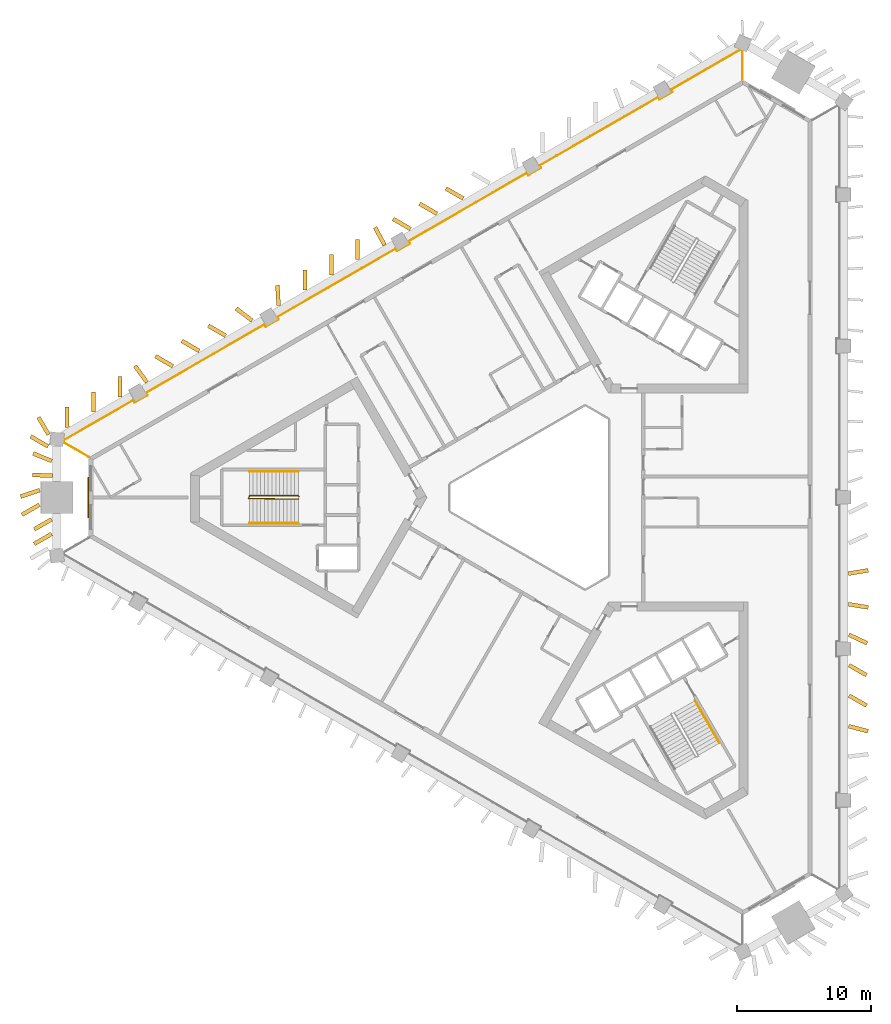
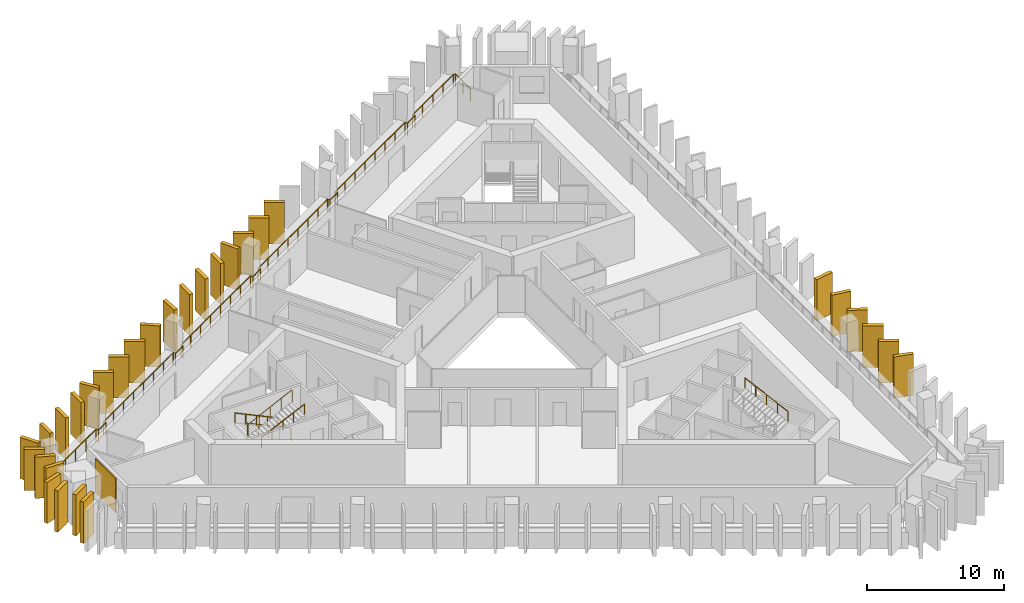
# One storey, part 8 of 9: 30 shading devices, 5 railings, 1 covering.
"""IFC4 building model written with IfcOpenShell, lengths in metres."""

from ifc_helpers import new_model, si_unit, direction, frame, frame_2d, origin, origin_2d, place, context, subcontext, project, spatial, rectangle, circle, extrude, material, layer, layer_set, type_object, element, save


model = new_model("IFC4")

# Units and contexts
model_context = context("Model", 3, precision=1e-05, world=origin(), true_north=direction((0.0, 1.0)))
body_context = subcontext(model_context, "Body", "Model", "MODEL_VIEW")
ifc_project = project(units=[si_unit("LENGTHUNIT", "METRE"), si_unit("AREAUNIT", "SQUARE_METRE"), si_unit("VOLUMEUNIT", "CUBIC_METRE"), si_unit("PLANEANGLEUNIT", "RADIAN"), si_unit("MASSUNIT", "GRAM", prefix="KILO")], contexts=[model_context])

# Site, building, storey
site_placement = place(None, origin())
site = spatial("IfcSite", under=ifc_project, at=site_placement, CompositionType="ELEMENT")
building_placement = place(site_placement, origin())
building = spatial("IfcBuilding", under=site, at=building_placement, Name="Jabali Bay Hotel Tower and Convention Centre", CompositionType="ELEMENT")
storey_placement = place(building_placement, frame((0.0, 0.0, 129.0)))
storey = spatial("IfcBuildingStorey", under=building, at=storey_placement, Name="L31", CompositionType="ELEMENT", Elevation=129.0)

# Railing
ifc_material_1 = material(Name="Glass", Category="glass")
railing_type_1 = type_object("IfcRailingType", Name="Loggia glass guard 1100", PredefinedType="BALUSTRADE", material=ifc_material_1)
railing_1_placement = place(storey_placement, frame((40.816650390625, 83.01318359375, 0.0)))
element("IfcRailing", 1, at=railing_1_placement, inside=storey, type_object=railing_type_1, Name="Loggia glass guard L31", PredefinedType="BALUSTRADE", context=body_context, shape_type="SweptSolid", body=[
    extrude(circle(Radius=0.02490234375, at=origin_2d()), frame((0.0, 0.0, 1.0751953125), z_axis=(-0.866007213464, 0.500031505235, 0.0), x_axis=(-0.495753666391, -0.858598401702, 0.13052619222)), (0.0, 0.0, 1.0), 2.165283203125),
    extrude(circle(Radius=0.02490234375, at=origin_2d()), frame((-1.875244140625, 1.082763671875, 1.0751953125), z_axis=(0.117477392411, 0.993075557182, 0.0), x_axis=(-0.984579658124, 0.116472357034, 0.13052619222)), (0.0, 0.0, 1.0), 0.15576171875),
    extrude(circle(Radius=0.02490234375, at=origin_2d()), frame((-1.85693359375, 1.237548828125, 1.0751953125), z_axis=(0.8660343527, 0.499984499703, 0.0), x_axis=(-0.495707062997, 0.858625308758, 0.13052619222)), (0.0, 0.0, 1.0), 5.968017578125),
    extrude(circle(Radius=0.02490234375, at=origin_2d()), frame((3.3115234375, 4.221435546875, 1.0751953125), z_axis=(0.499687197852, -0.866205924883, 0.0), x_axis=(0.858795413117, 0.495412304605, 0.13052619222)), (0.0, 0.0, 1.0), 0.199951171875),
    extrude(circle(Radius=0.02490234375, at=origin_2d()), frame((3.411376953125, 4.04833984375, 1.0751953125), z_axis=(0.866104278045, 0.499863360881, 0.0), x_axis=(-0.495586960535, 0.858694635882, 0.13052619222)), (0.0, 0.0, 1.0), 1.099853515625),
    extrude(circle(Radius=0.02490234375, at=origin_2d()), frame((4.364013671875, 4.59814453125, 1.0751953125), z_axis=(-0.499158860599, 0.866510491504, 0.0), x_axis=(-0.859097374128, -0.49488848735, 0.13052619222)), (0.0, 0.0, 1.0), 0.199951171875),
    extrude(circle(Radius=0.02490234375, at=origin_2d()), frame((4.26416015625, 4.771484375, 1.0751953125), z_axis=(0.866029097357, 0.49999360249, 0.0), x_axis=(-0.495716087909, 0.858620098375, 0.13052619222)), (0.0, 0.0, 1.0), 10.184326171875),
    extrude(circle(Radius=0.02490234375, at=origin_2d()), frame((13.083984375, 9.863525390625, 1.0751953125), z_axis=(0.499687197852, -0.866205924883, 0.0), x_axis=(0.858795413117, 0.495412304605, 0.13052619222)), (0.0, 0.0, 1.0), 0.199951171875),
    extrude(circle(Radius=0.02490234375, at=origin_2d()), frame((13.183837890625, 9.6904296875, 1.0751953125), z_axis=(0.866008176907, 0.50002983664, 0.0), x_axis=(-0.495752012071, 0.858599356902, 0.13052619222)), (0.0, 0.0, 1.0), 1.10009765625),
    extrude(circle(Radius=0.02490234375, at=origin_2d()), frame((14.136474609375, 10.240478515625, 1.0751953125), z_axis=(-0.499687197852, 0.866205924883, 0.0), x_axis=(-0.858795413117, -0.495412304605, 0.13052619222)), (0.0, 0.0, 1.0), 0.199951171875),
    extrude(circle(Radius=0.02490234375, at=origin_2d()), frame((14.03662109375, 10.41357421875, 1.0751953125), z_axis=(0.866029097357, 0.49999360249, 0.0), x_axis=(-0.495716087909, 0.858620098375, 0.13052619222)), (0.0, 0.0, 1.0), 10.184326171875),
    extrude(circle(Radius=0.02490234375, at=origin_2d()), frame((22.8564453125, 15.505615234375, 1.0751953125), z_axis=(0.499687197852, -0.866205924883, 0.0), x_axis=(0.858795413117, 0.495412304605, 0.13052619222)), (0.0, 0.0, 1.0), 0.199951171875),
    extrude(circle(Radius=0.02490234375, at=origin_2d()), frame((22.956298828125, 15.33251953125, 1.0751953125), z_axis=(0.866008176907, 0.50002983664, 0.0), x_axis=(-0.495752012071, 0.858599356902, 0.13052619222)), (0.0, 0.0, 1.0), 1.10009765625),
    extrude(circle(Radius=0.02490234375, at=origin_2d()), frame((23.908935546875, 15.882568359375, 1.0751953125), z_axis=(-0.499687197852, 0.866205924883, 0.0), x_axis=(-0.858795413117, -0.495412304605, 0.13052619222)), (0.0, 0.0, 1.0), 0.199951171875),
    extrude(circle(Radius=0.02490234375, at=origin_2d()), frame((23.80908203125, 16.0556640625, 1.0751953125), z_axis=(0.866029097357, 0.49999360249, 0.0), x_axis=(-0.495716087909, 0.858620098375, 0.13052619222)), (0.0, 0.0, 1.0), 10.184326171875),
    extrude(circle(Radius=0.02490234375, at=origin_2d()), frame((32.62890625, 21.147705078125, 1.0751953125), z_axis=(0.499687197852, -0.866205924883, 0.0), x_axis=(0.858795413117, 0.495412304605, 0.13052619222)), (0.0, 0.0, 1.0), 0.199951171875),
    extrude(circle(Radius=0.02490234375, at=origin_2d()), frame((32.728759765625, 20.974609375, 1.0751953125), z_axis=(0.866008176907, 0.50002983664, 0.0), x_axis=(-0.495752012071, 0.858599356902, 0.13052619222)), (0.0, 0.0, 1.0), 1.10009765625),
    extrude(circle(Radius=0.02490234375, at=origin_2d()), frame((33.681396484375, 21.524658203125, 1.0751953125), z_axis=(-0.499687197852, 0.866205924883, 0.0), x_axis=(-0.858795413117, -0.495412304605, 0.13052619222)), (0.0, 0.0, 1.0), 0.199951171875),
    extrude(circle(Radius=0.02490234375, at=origin_2d()), frame((33.58154296875, 21.69775390625, 1.0751953125), z_axis=(0.866018717003, 0.500011581666, 0.0), x_axis=(-0.49573391327, 0.858609806827, 0.13052619222)), (0.0, 0.0, 1.0), 10.184326171875),
    extrude(circle(Radius=0.02490234375, at=origin_2d()), frame((42.4013671875, 26.7900390625, 1.0751953125), z_axis=(0.499158860599, -0.866510491504, 0.0), x_axis=(0.859097374128, 0.49488848735, 0.13052619222)), (0.0, 0.0, 1.0), 0.199951171875),
    extrude(circle(Radius=0.02490234375, at=origin_2d()), frame((42.501220703125, 26.61669921875, 1.0751953125), z_axis=(0.866008176907, 0.50002983664, 0.0), x_axis=(-0.495752012071, 0.858599356902, 0.13052619222)), (0.0, 0.0, 1.0), 1.10009765625),
    extrude(circle(Radius=0.02490234375, at=origin_2d()), frame((43.453857421875, 27.166748046875, 1.0751953125), z_axis=(-0.499687197852, 0.866205924883, 0.0), x_axis=(-0.858795413117, -0.495412304605, 0.13052619222)), (0.0, 0.0, 1.0), 0.199951171875),
    extrude(circle(Radius=0.02490234375, at=origin_2d()), frame((43.35400390625, 27.33984375, 1.0751953125), z_axis=(0.866016638956, 0.50001518082, 0.0), x_axis=(-0.495737481633, 0.858607746558, 0.13052619222)), (0.0, 0.0, 1.0), 5.968017578125),
    extrude(circle(Radius=0.02490234375, at=origin_2d()), frame((48.5224609375, 30.323974609375, 1.0751953125), z_axis=(0.918657809016, -0.395054211386, 0.0), x_axis=(0.391674467843, 0.91079856411, 0.13052619222)), (0.0, 0.0, 1.0), 0.15576171875),
    extrude(circle(Radius=0.02490234375, at=origin_2d()), frame((48.66552734375, 30.262451171875, 1.0751953125), z_axis=(0.0, -1.0, 0.0), x_axis=(0.991444861374, 0.0, 0.13052619222)), (0.0, 0.0, 1.0), 2.165283203125),
    extrude(circle(Radius=0.02001953125, at=origin_2d()), origin(), (0.0, 0.0, 1.0), 1.050048828125),
    extrude(circle(Radius=0.02001953125, at=origin_2d()), frame((-0.9375, 0.54150390625, 0.0)), (0.0, 0.0, 1.0), 1.050048828125),
    extrude(circle(Radius=0.02001953125, at=origin_2d()), frame((-1.875244140625, 1.082763671875, 0.0)), (0.0, 0.0, 1.0), 1.050048828125),
    extrude(circle(Radius=0.02001953125, at=origin_2d()), frame((-1.85693359375, 1.237548828125, 0.0)), (0.0, 0.0, 1.0), 1.050048828125),
    extrude(circle(Radius=0.02001953125, at=origin_2d()), frame((-0.56494140625, 1.9833984375, 0.0)), (0.0, 0.0, 1.0), 1.050048828125),
    extrude(circle(Radius=0.02001953125, at=origin_2d()), frame((0.727294921875, 2.7294921875, 0.0)), (0.0, 0.0, 1.0), 1.050048828125),
    extrude(circle(Radius=0.02001953125, at=origin_2d()), frame((2.01953125, 3.4755859375, 0.0)), (0.0, 0.0, 1.0), 1.050048828125),
    extrude(circle(Radius=0.02001953125, at=origin_2d()), frame((3.3115234375, 4.221435546875, 0.0)), (0.0, 0.0, 1.0), 1.050048828125),
    extrude(circle(Radius=0.02001953125, at=origin_2d()), frame((3.411376953125, 4.04833984375, 0.0)), (0.0, 0.0, 1.0), 1.050048828125),
    extrude(circle(Radius=0.02001953125, at=origin_2d()), frame((4.364013671875, 4.59814453125, 0.0)), (0.0, 0.0, 1.0), 1.050048828125),
    extrude(circle(Radius=0.02001953125, at=origin_2d()), frame((4.26416015625, 4.771484375, 0.0)), (0.0, 0.0, 1.0), 1.050048828125),
    extrude(circle(Radius=0.02001953125, at=origin_2d()), frame((5.524169921875, 5.4990234375, 0.0)), (0.0, 0.0, 1.0), 1.050048828125),
    extrude(circle(Radius=0.02001953125, at=origin_2d()), frame((6.7841796875, 6.226318359375, 0.0)), (0.0, 0.0, 1.0), 1.050048828125),
    extrude(circle(Radius=0.02001953125, at=origin_2d()), frame((8.044189453125, 6.953857421875, 0.0)), (0.0, 0.0, 1.0), 1.050048828125),
    extrude(circle(Radius=0.02001953125, at=origin_2d()), frame((9.303955078125, 7.68115234375, 0.0)), (0.0, 0.0, 1.0), 1.050048828125),
    extrude(circle(Radius=0.02001953125, at=origin_2d()), frame((10.56396484375, 8.40869140625, 0.0)), (0.0, 0.0, 1.0), 1.050048828125),
    extrude(circle(Radius=0.02001953125, at=origin_2d()), frame((11.823974609375, 9.135986328125, 0.0)), (0.0, 0.0, 1.0), 1.050048828125),
    extrude(circle(Radius=0.02001953125, at=origin_2d()), frame((13.083984375, 9.863525390625, 0.0)), (0.0, 0.0, 1.0), 1.050048828125),
    extrude(circle(Radius=0.02001953125, at=origin_2d()), frame((13.183837890625, 9.6904296875, 0.0)), (0.0, 0.0, 1.0), 1.050048828125),
    extrude(circle(Radius=0.02001953125, at=origin_2d()), frame((14.136474609375, 10.240478515625, 0.0)), (0.0, 0.0, 1.0), 1.050048828125),
    extrude(circle(Radius=0.02001953125, at=origin_2d()), frame((14.03662109375, 10.41357421875, 0.0)), (0.0, 0.0, 1.0), 1.050048828125),
    extrude(circle(Radius=0.02001953125, at=origin_2d()), frame((15.296630859375, 11.14111328125, 0.0)), (0.0, 0.0, 1.0), 1.050048828125),
    extrude(circle(Radius=0.02001953125, at=origin_2d()), frame((16.556640625, 11.868408203125, 0.0)), (0.0, 0.0, 1.0), 1.050048828125),
    extrude(circle(Radius=0.02001953125, at=origin_2d()), frame((17.816650390625, 12.595947265625, 0.0)), (0.0, 0.0, 1.0), 1.050048828125),
    extrude(circle(Radius=0.02001953125, at=origin_2d()), frame((19.076416015625, 13.3232421875, 0.0)), (0.0, 0.0, 1.0), 1.050048828125),
    extrude(circle(Radius=0.02001953125, at=origin_2d()), frame((20.33642578125, 14.05078125, 0.0)), (0.0, 0.0, 1.0), 1.050048828125),
    extrude(circle(Radius=0.02001953125, at=origin_2d()), frame((21.596435546875, 14.778076171875, 0.0)), (0.0, 0.0, 1.0), 1.050048828125),
    extrude(circle(Radius=0.02001953125, at=origin_2d()), frame((22.8564453125, 15.505615234375, 0.0)), (0.0, 0.0, 1.0), 1.050048828125),
    extrude(circle(Radius=0.02001953125, at=origin_2d()), frame((22.956298828125, 15.33251953125, 0.0)), (0.0, 0.0, 1.0), 1.050048828125),
    extrude(circle(Radius=0.02001953125, at=origin_2d()), frame((23.908935546875, 15.882568359375, 0.0)), (0.0, 0.0, 1.0), 1.050048828125),
    extrude(circle(Radius=0.02001953125, at=origin_2d()), frame((23.80908203125, 16.0556640625, 0.0)), (0.0, 0.0, 1.0), 1.050048828125),
    extrude(circle(Radius=0.02001953125, at=origin_2d()), frame((25.069091796875, 16.783203125, 0.0)), (0.0, 0.0, 1.0), 1.050048828125),
    extrude(circle(Radius=0.02001953125, at=origin_2d()), frame((26.3291015625, 17.510498046875, 0.0)), (0.0, 0.0, 1.0), 1.050048828125),
    extrude(circle(Radius=0.02001953125, at=origin_2d()), frame((27.589111328125, 18.238037109375, 0.0)), (0.0, 0.0, 1.0), 1.050048828125),
    extrude(circle(Radius=0.02001953125, at=origin_2d()), frame((28.848876953125, 18.96533203125, 0.0)), (0.0, 0.0, 1.0), 1.050048828125),
    extrude(circle(Radius=0.02001953125, at=origin_2d()), frame((30.10888671875, 19.69287109375, 0.0)), (0.0, 0.0, 1.0), 1.050048828125),
    extrude(circle(Radius=0.02001953125, at=origin_2d()), frame((31.368896484375, 20.420166015625, 0.0)), (0.0, 0.0, 1.0), 1.050048828125),
    extrude(circle(Radius=0.02001953125, at=origin_2d()), frame((32.62890625, 21.147705078125, 0.0)), (0.0, 0.0, 1.0), 1.050048828125),
    extrude(circle(Radius=0.02001953125, at=origin_2d()), frame((32.728759765625, 20.974609375, 0.0)), (0.0, 0.0, 1.0), 1.050048828125),
    extrude(circle(Radius=0.02001953125, at=origin_2d()), frame((33.681396484375, 21.524658203125, 0.0)), (0.0, 0.0, 1.0), 1.050048828125),
    extrude(circle(Radius=0.02001953125, at=origin_2d()), frame((33.58154296875, 21.69775390625, 0.0)), (0.0, 0.0, 1.0), 1.050048828125),
    extrude(circle(Radius=0.02001953125, at=origin_2d()), frame((34.841552734375, 22.42529296875, 0.0)), (0.0, 0.0, 1.0), 1.050048828125),
    extrude(circle(Radius=0.02001953125, at=origin_2d()), frame((36.1015625, 23.152587890625, 0.0)), (0.0, 0.0, 1.0), 1.050048828125),
    extrude(circle(Radius=0.02001953125, at=origin_2d()), frame((37.361572265625, 23.880126953125, 0.0)), (0.0, 0.0, 1.0), 1.050048828125),
    extrude(circle(Radius=0.02001953125, at=origin_2d()), frame((38.621337890625, 24.607666015625, 0.0)), (0.0, 0.0, 1.0), 1.050048828125),
    extrude(circle(Radius=0.02001953125, at=origin_2d()), frame((39.88134765625, 25.335205078125, 0.0)), (0.0, 0.0, 1.0), 1.050048828125),
    extrude(circle(Radius=0.02001953125, at=origin_2d()), frame((41.141357421875, 26.0625, 0.0)), (0.0, 0.0, 1.0), 1.050048828125),
    extrude(circle(Radius=0.02001953125, at=origin_2d()), frame((42.4013671875, 26.7900390625, 0.0)), (0.0, 0.0, 1.0), 1.050048828125),
    extrude(circle(Radius=0.02001953125, at=origin_2d()), frame((42.501220703125, 26.61669921875, 0.0)), (0.0, 0.0, 1.0), 1.050048828125),
    extrude(circle(Radius=0.02001953125, at=origin_2d()), frame((43.453857421875, 27.166748046875, 0.0)), (0.0, 0.0, 1.0), 1.050048828125),
    extrude(circle(Radius=0.02001953125, at=origin_2d()), frame((43.35400390625, 27.33984375, 0.0)), (0.0, 0.0, 1.0), 1.050048828125),
    extrude(circle(Radius=0.02001953125, at=origin_2d()), frame((44.64599609375, 28.0859375, 0.0)), (0.0, 0.0, 1.0), 1.050048828125),
    extrude(circle(Radius=0.02001953125, at=origin_2d()), frame((45.938232421875, 28.83203125, 0.0)), (0.0, 0.0, 1.0), 1.050048828125),
    extrude(circle(Radius=0.02001953125, at=origin_2d()), frame((47.23046875, 29.577880859375, 0.0)), (0.0, 0.0, 1.0), 1.050048828125),
    extrude(circle(Radius=0.02001953125, at=origin_2d()), frame((48.5224609375, 30.323974609375, 0.0)), (0.0, 0.0, 1.0), 1.050048828125),
    extrude(circle(Radius=0.02001953125, at=origin_2d()), frame((48.66552734375, 30.262451171875, 0.0)), (0.0, 0.0, 1.0), 1.050048828125),
    extrude(circle(Radius=0.02001953125, at=origin_2d()), frame((48.66552734375, 29.1796875, 0.0)), (0.0, 0.0, 1.0), 1.050048828125),
    extrude(circle(Radius=0.02001953125, at=origin_2d()), frame((48.66552734375, 28.09716796875, 0.0)), (0.0, 0.0, 1.0), 1.050048828125),
])

# Shading devices
ifc_material_2 = material(Name="Precast concrete C60", Category="concrete")
ifc_layer_1 = layer(ifc_material_2, 0.300048828125)
ifc_layer_set_1 = layer_set([ifc_layer_1], Name="Precast concrete C60")
shading_device_type = type_object("IfcShadingDeviceType", Name="Precast fin 3680 x 1500", PredefinedType="USERDEFINED", material=ifc_layer_set_1)
for number, where, z_axis, x_axis, name in (
    (2, (97.3818359375, 62.97412109375, 0.010009765625), (0.0, 0.0, 1.0), (0.967312357598, -0.253587860195, 0.0), "Fin L31 005"),
    (3, (97.41748046875, 65.244140625, 0.010009765625), (0.0, 0.0, 1.0), (0.870656800372, -0.491890979757, 0.0), "Fin L31 006"),
    (4, (97.41845703125, 67.514404296875, 0.010009765625), (0.0, 0.0, 1.0), (0.867159382876, -0.498030726652, 0.0), "Fin L31 007"),
    (5, (97.407958984375, 69.784423828125, 0.010009765625), (0.0, 0.0, 1.0), (0.903605236476, -0.428366171182, 0.0), "Fin L31 008"),
    (6, (97.367919921875, 72.0546875, 0.010009765625), (0.0, 0.0, 1.0), (0.986799963527, -0.161943916165, 0.0), "Fin L31 009"),
    (7, (97.36865234375, 74.32470703125, 0.010009765625), (0.0, 0.0, 1.0), (0.98601300015, 0.166668423928, 0.0), "Fin L31 010"),
    (8, (68.705810546875, 102.25244140625, 0.010009765625), (0.0, 0.0, 1.0), (-0.864898360543, 0.501947034986, 0.0), "Fin L31 044"),
    (9, (66.73974609375, 101.117431640625, 0.010009765625), (0.0, 0.0, 1.0), (-0.864898360543, 0.501947034986, 0.0), "Fin L31 045"),
    (10, (64.773681640625, 99.982421875, 0.010009765625), (0.0, 0.0, 1.0), (-0.864898360543, 0.501947034986, 0.0), "Fin L31 046"),
    (11, (62.843017578125, 98.786376953125, 0.010009765625), (0.0, 0.0, 1.0), (-0.474924598228, 0.880026491645, 0.0), "Fin L31 047"),
    (12, (60.841796875, 97.71240234375, 0.010009765625), (0.0, 0.0, 1.0), (-0.002278639918, 0.999997403897, 0.0), "Fin L31 048"),
    (13, (58.875732421875, 96.5771484375, 0.010009765625), (0.0, 0.0, 1.0), (-0.00211588068, 0.999997761522, 0.0), "Fin L31 049"),
    (14, (56.909912109375, 95.442138671875, 0.010009765625), (0.0, 0.0, 1.0), (-0.002278639918, 0.999997403897, 0.0), "Fin L31 050"),
    (15, (54.947265625, 94.30126953125, 0.010009765625), (0.0, 0.0, 1.0), (-0.053874375833, 0.998547721258, 0.0), "Fin L31 051"),
    (16, (52.986083984375, 93.15771484375, 0.010009765625), (0.0, 0.0, 1.0), (-0.796510180801, 0.604625116812, 0.0), "Fin L31 052"),
    (17, (51.011962890625, 92.037109375, 0.010009765625), (0.0, 0.0, 1.0), (-0.864898360543, 0.501947034986, 0.0), "Fin L31 053"),
    (18, (49.0458984375, 90.90185546875, 0.010009765625), (0.0, 0.0, 1.0), (-0.864898360543, 0.501947034986, 0.0), "Fin L31 054"),
    (19, (47.080078125, 89.766845703125, 0.010009765625), (0.0, 0.0, 1.0), (-0.864898360543, 0.501947034986, 0.0), "Fin L31 055"),
    (20, (45.1435546875, 88.58056640625, 0.010009765625), (0.0, 0.0, 1.0), (-0.586874225029, 0.809678111348, 0.0), "Fin L31 056"),
    (21, (43.14794921875, 87.496826171875, 0.010009765625), (0.0, 0.0, 1.0), (-0.002604157836, 0.999996609175, 0.0), "Fin L31 057"),
    (22, (41.18212890625, 86.361572265625, 0.010009765625), (0.0, 0.0, 1.0), (-0.003580706212, 0.999993589251, 0.0), "Fin L31 058"),
    (23, (39.21630859375, 85.22607421875, 0.010009765625), (0.0, 0.0, 1.0), (-0.007649515767, 0.999970742026, 0.0), "Fin L31 059"),
    (24, (37.789794921875, 83.798583984375, 0.010009765625), (0.0, 0.0, 1.0), (-0.867159382876, 0.498030726652, 0.0), "Fin L31 060"),
    (25, (38.07373046875, 82.713134765625, 0.010009765625), (0.0, 0.0, 1.0), (-0.927417797028, 0.374027044151, 0.0), "Fin L31 061"),
    (26, (38.12548828125, 81.6279296875, 0.010009765625), (0.0, 0.0, 1.0), (-0.999584885547, 0.028810702612, 0.0), "Fin L31 062"),
    (27, (37.170166015625, 80.542724609375, 0.010009765625), (0.0, 0.0, 1.0), (-0.949380843942, -0.314127383646, 0.0), "Fin L31 063"),
):
    element("IfcShadingDevice", number, at=place(storey_placement, frame(where, z_axis=z_axis, x_axis=x_axis)), inside=storey, type_object=shading_device_type, Name=name, ObjectType="FIN", PredefinedType="USERDEFINED", context=body_context, shape_type="SweptSolid", body=[
        extrude(rectangle(XDim=1.5, YDim=0.300048828125, at=frame_2d((0.75, 0.0))), origin(), (0.0, 0.0, 1.0), 3.679931640625),
    ])
shading_device_1_placement = place(storey_placement, frame((37.142578125, 79.457275390625, 0.010009765625), z_axis=(0.0, 0.0, 1.0), x_axis=(-0.867119005422, -0.498101024327, 0.0)))
element("IfcShadingDevice", 28, at=shading_device_1_placement, inside=storey, type_object=shading_device_type, Name="Fin L31 064", ObjectType="FIN", PredefinedType="USERDEFINED", context=body_context, shape_type="SweptSolid", body=[
    extrude(rectangle(XDim=1.499755859375, YDim=0.300048828125, at=frame_2d((0.75, 0.0))), origin(), (0.0, 0.0, 1.0), 3.679931640625),
])
shading_device_2_placement = place(storey_placement, frame((38.05517578125, 78.3720703125, 0.010009765625), z_axis=(0.0, 0.0, 1.0), x_axis=(-0.867159382876, -0.498030726652, 0.0)))
element("IfcShadingDevice", 29, at=shading_device_2_placement, inside=storey, type_object=shading_device_type, Name="Fin L31 065", ObjectType="FIN", PredefinedType="USERDEFINED", context=body_context, shape_type="SweptSolid", body=[
    extrude(rectangle(XDim=1.5, YDim=0.300048828125, at=frame_2d((0.75, 0.0))), origin(), (0.0, 0.0, 1.0), 3.679931640625),
])
shading_device_3_placement = place(storey_placement, frame((38.05517578125, 77.286865234375, 0.010009765625), z_axis=(0.0, 0.0, 1.0), x_axis=(-0.867089090549, -0.498153098005, 0.0)))
element("IfcShadingDevice", 30, at=shading_device_3_placement, inside=storey, type_object=shading_device_type, Name="Fin L31 066", ObjectType="FIN", PredefinedType="USERDEFINED", context=body_context, shape_type="SweptSolid", body=[
    extrude(rectangle(XDim=1.500244140625, YDim=0.300048828125, at=frame_2d((0.75, 0.0))), origin(), (0.0, 0.0, 1.0), 3.679931640625),
])
shading_device_4_placement = place(storey_placement, frame((37.83349609375, 84.677734375, 0.010009765625), z_axis=(0.0, 0.0, 1.0), x_axis=(-0.511068892971, 0.859539752796, 0.0)))
element("IfcShadingDevice", 31, at=shading_device_4_placement, inside=storey, type_object=shading_device_type, Name="Fin L31 105", ObjectType="FIN", PredefinedType="USERDEFINED", context=body_context, shape_type="SweptSolid", body=[
    extrude(rectangle(XDim=1.5, YDim=0.300048828125, at=frame_2d((0.75, 0.0))), origin(), (0.0, 0.0, 1.0), 3.679931640625),
])

# Covering
ifc_material_3 = material(Name="Precast concrete C40/50", Category="concrete")
ifc_layer_2 = layer(ifc_material_3, 0.080078125)
ifc_layer_set_2 = layer_set([ifc_layer_2], Name="Precast concrete C40/50")
covering_type = type_object("IfcCoveringType", Name="Relief panel 3000 x 3050", PredefinedType="CLADDING", material=ifc_layer_set_2)
covering_placement = place(storey_placement, frame((40.776611328125, 80.0, 0.10009765625), z_axis=(0.0, 0.0, 1.0), x_axis=(0.0, 1.0, 0.0)))
element("IfcCovering", 32, at=covering_placement, inside=storey, type_object=covering_type, Name="Relief panel L31", PredefinedType="CLADDING", context=body_context, shape_type="SweptSolid", body=[
    extrude(rectangle(XDim=3.0, YDim=0.080078125, at=origin_2d()), origin(), (0.0, 0.0, 1.0), 3.050048828125),
])

# Railings
ifc_material_4 = material(Name="Steel Q355B", Category="steel")
railing_type_2 = type_object("IfcRailingType", Name="Stair guard 1100", PredefinedType="GUARDRAIL", material=ifc_material_4)
railing_2_placement = place(storey_placement, frame((56.469970703125, 80.074951171875, 0.0)))
element("IfcRailing", 33, at=railing_2_placement, inside=storey, type_object=railing_type_2, Name="L31 ST1 stair guard 1", PredefinedType="GUARDRAIL", context=body_context, shape_type="SweptSolid", body=[
    extrude(circle(Radius=0.02392578125, at=origin_2d()), frame((0.0, 0.0, 1.076171875), z_axis=(-0.333993628408, 0.333993628408, 0.881417331555), x_axis=(-0.707106781187, -0.707106781187, 0.0)), (0.0, 0.0, 1.0), 0.14990234375),
    extrude(circle(Radius=0.02392578125, at=origin_2d()), frame((-0.050048828125, 0.050048828125, 1.2080078125), z_axis=(-0.904327350853, 0.0, 0.426839598092), x_axis=(0.0, -1.0, 0.0)), (0.0, 0.0, 1.0), 4.02490234375),
    extrude(circle(Radius=0.02392578125, at=origin_2d()), frame((-3.68994140625, 0.050048828125, 2.92626953125), z_axis=(-0.242814311512, -0.970072785993, 0.0), x_axis=(0.970072785993, -0.242814311512, 0.0)), (0.0, 0.0, 1.0), 0.2060546875),
    extrude(circle(Radius=0.02392578125, at=origin_2d()), frame((-3.739990234375, -0.14990234375, 2.92626953125), z_axis=(0.893887803671, -0.012124321804, 0.4481267625), x_axis=(0.013562335953, 0.999908027292, 0.0)), (0.0, 0.0, 1.0), 4.1279296875),
    extrude(circle(Radius=0.02099609375, at=origin_2d()), origin(), (0.0, 0.0, 1.0), 1.052001953125),
    extrude(circle(Radius=0.02099609375, at=origin_2d()), frame((-0.050048828125, 0.050048828125, 0.132080078125)), (0.0, 0.0, 1.0), 1.052001953125),
    extrude(circle(Radius=0.02099609375, at=origin_2d()), frame((-0.9599609375, 0.050048828125, 0.5615234375)), (0.0, 0.0, 1.0), 1.052001953125),
    extrude(circle(Radius=0.02099609375, at=origin_2d()), frame((-1.8701171875, 0.050048828125, 0.9912109375)), (0.0, 0.0, 1.0), 1.052001953125),
    extrude(circle(Radius=0.02099609375, at=origin_2d()), frame((-2.780029296875, 0.050048828125, 1.420654296875)), (0.0, 0.0, 1.0), 1.052001953125),
    extrude(circle(Radius=0.02099609375, at=origin_2d()), frame((-3.68994140625, 0.050048828125, 1.85009765625)), (0.0, 0.0, 1.0), 1.052001953125),
    extrude(circle(Radius=0.02099609375, at=origin_2d()), frame((-3.739990234375, -0.14990234375, 1.85009765625)), (0.0, 0.0, 1.0), 1.052001953125),
    extrude(circle(Radius=0.02099609375, at=origin_2d()), frame((-2.8173828125, -0.162353515625, 2.3125)), (0.0, 0.0, 1.0), 1.052001953125),
    extrude(circle(Radius=0.02099609375, at=origin_2d()), frame((-1.89501953125, -0.1748046875, 2.77490234375)), (0.0, 0.0, 1.0), 1.052001953125),
    extrude(circle(Radius=0.02099609375, at=origin_2d()), frame((-0.97265625, -0.1875, 3.237548828125)), (0.0, 0.0, 1.0), 1.052001953125),
    extrude(circle(Radius=0.02099609375, at=origin_2d()), frame((-0.050048828125, -0.199951171875, 3.699951171875)), (0.0, 0.0, 1.0), 1.052001953125),
])
railing_type_3 = type_object("IfcRailingType", Name="Stair handrail 900", PredefinedType="HANDRAIL", material=ifc_material_4)
railing_3_placement = place(storey_placement, frame((56.419921875, 81.925048828125, 0.132080078125)))
element("IfcRailing", 34, at=railing_3_placement, inside=storey, type_object=railing_type_3, Name="L31 ST1 stair handrail 1", PredefinedType="HANDRAIL", context=body_context, shape_type="SweptSolid", body=[
    extrude(circle(Radius=0.02392578125, at=origin_2d()), frame((0.0, 0.0, 0.8759765625), z_axis=(-0.904327350853, 0.0, 0.426839598092), x_axis=(0.0, -1.0, 0.0)), (0.0, 0.0, 1.0), 4.02490234375),
    extrude(circle(Radius=0.02099609375, at=origin_2d()), origin(), (0.0, 0.0, 1.0), 0.851806640625),
    extrude(circle(Radius=0.02099609375, at=origin_2d()), frame((-0.909912109375, 0.0, 0.429443359375)), (0.0, 0.0, 1.0), 0.851806640625),
    extrude(circle(Radius=0.02099609375, at=origin_2d()), frame((-1.81982421875, 0.0, 0.85888671875)), (0.0, 0.0, 1.0), 0.851806640625),
    extrude(circle(Radius=0.02099609375, at=origin_2d()), frame((-2.72998046875, 0.0, 1.28857421875)), (0.0, 0.0, 1.0), 0.851806640625),
    extrude(circle(Radius=0.02099609375, at=origin_2d()), frame((-3.639892578125, 0.0, 1.718017578125)), (0.0, 0.0, 1.0), 0.851806640625),
])
railing_4_placement = place(storey_placement, frame((52.780029296875, 78.074951171875, 1.982177734375)))
element("IfcRailing", 35, at=railing_4_placement, inside=storey, type_object=railing_type_3, Name="L31 ST1 stair handrail 2", PredefinedType="HANDRAIL", context=body_context, shape_type="SweptSolid", body=[
    extrude(circle(Radius=0.02392578125, at=origin_2d()), frame((0.0, 0.0, 0.8759765625), z_axis=(0.904350763662, 0.0, 0.426789990819), x_axis=(0.0, 1.0, 0.0)), (0.0, 0.0, 1.0), 4.02490234375),
    extrude(circle(Radius=0.02099609375, at=origin_2d()), origin(), (0.0, 0.0, 1.0), 0.851806640625),
    extrude(circle(Radius=0.02099609375, at=origin_2d()), frame((0.909912109375, 0.0, 0.429443359375)), (0.0, 0.0, 1.0), 0.851806640625),
    extrude(circle(Radius=0.02099609375, at=origin_2d()), frame((1.81982421875, 0.0, 0.85888671875)), (0.0, 0.0, 1.0), 0.851806640625),
    extrude(circle(Radius=0.02099609375, at=origin_2d()), frame((2.72998046875, 0.0, 1.288330078125)), (0.0, 0.0, 1.0), 0.851806640625),
    extrude(circle(Radius=0.02099609375, at=origin_2d()), frame((3.639892578125, 0.0, 1.7177734375)), (0.0, 0.0, 1.0), 0.851806640625),
])
railing_5_placement = place(storey_placement, frame((87.777099609375, 61.719482421875, 1.982177734375)))
element("IfcRailing", 36, at=railing_5_placement, inside=storey, type_object=railing_type_3, Name="L31 ST3 stair handrail 2", PredefinedType="HANDRAIL", context=body_context, shape_type="SweptSolid", body=[
    extrude(circle(Radius=0.02392578125, at=origin_2d()), frame((0.0, 0.0, 0.8759765625), z_axis=(-0.452190331055, 0.783190014029, 0.426775475427), x_axis=(-0.866018046521, -0.500012742938, 0.0)), (0.0, 0.0, 1.0), 4.02490234375),
    extrude(circle(Radius=0.02099609375, at=origin_2d()), origin(), (0.0, 0.0, 1.0), 0.851806640625),
    extrude(circle(Radius=0.02099609375, at=origin_2d()), frame((-0.455078125, 0.7880859375, 0.429443359375)), (0.0, 0.0, 1.0), 0.851806640625),
    extrude(circle(Radius=0.02099609375, at=origin_2d()), frame((-0.91015625, 1.576171875, 0.85888671875)), (0.0, 0.0, 1.0), 0.851806640625),
    extrude(circle(Radius=0.02099609375, at=origin_2d()), frame((-1.364990234375, 2.3642578125, 1.288330078125)), (0.0, 0.0, 1.0), 0.851806640625),
    extrude(circle(Radius=0.02099609375, at=origin_2d()), frame((-1.820068359375, 3.15234375, 1.7177734375)), (0.0, 0.0, 1.0), 0.851806640625),
])

save(model, "model.ifc")
